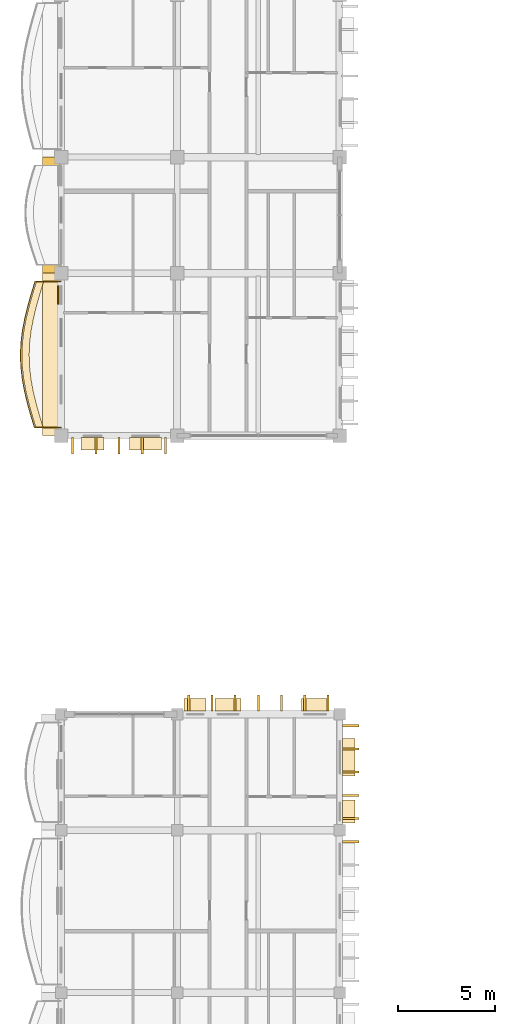
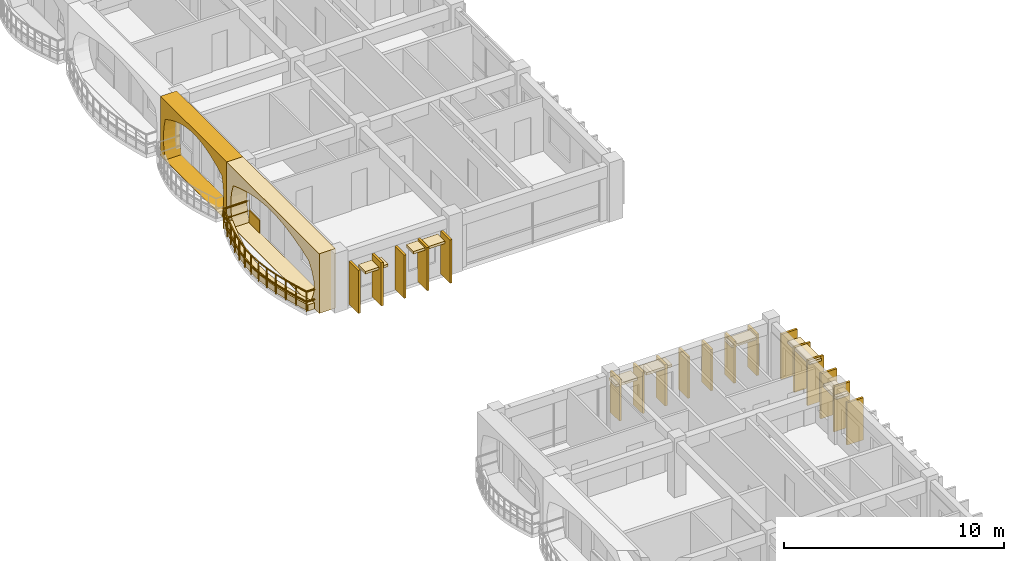
# One storey, part 57 of 79: 29 coverings, 1 railing.
"""IFC4 building model written with IfcOpenShell, lengths in metres."""

import ifcopenshell
import ifcopenshell.guid

model = None  # the IFC model being written
_history = None  # IfcOwnerHistory: only IFC2X3 demands one
_inside = {}  # id of a spatial element -> (the spatial element, [elements in it])
_under = {}  # id of a project, library or spatial element -> (it, [spatial elements below it])
_declared = {}  # id of a project -> (the project, [libraries it declares])
_typed = {}  # id of a type object -> (the type object, [elements of that type])
_made_of = {}  # id of a material, layer set ... -> (it, [elements and type objects made of it])


def new_model(schema):
    """Start an empty IFC model of exactly this schema.

    Asked for "IFC4X3", IfcOpenShell would pick the latest addendum, in which some entities
    have other attributes; the version numbers below select the first issue.
    IFC2X3 requires an IfcOwnerHistory on every rooted entity: one is made here for all.
    """
    global model, _history
    if schema == "IFC4X3":
        model = ifcopenshell.file(schema_version=(4, 3, 0, 0))
    else:
        model = ifcopenshell.file(schema=schema)
    _inside.clear()
    _under.clear()
    _declared.clear()
    _typed.clear()
    _made_of.clear()
    _history = None
    if model.schema == "IFC2X3":
        org = make("IfcOrganization", Name="unknown")
        user = make(
            "IfcPersonAndOrganization",
            ThePerson=make("IfcPerson", FamilyName="unknown"),
            TheOrganization=org,
        )
        app = make(
            "IfcApplication",
            ApplicationDeveloper=org,
            Version="unknown",
            ApplicationFullName="unknown",
            ApplicationIdentifier="unknown",
        )
        _history = make(
            "IfcOwnerHistory",
            OwningUser=user,
            OwningApplication=app,
            ChangeAction="ADDED",
            CreationDate=0,
        )
    return model


def make(cls, **values):
    """One entity of the class cls with the attributes given. An attribute that is None is left unset."""
    return model.create_entity(
        cls, **{name: value for name, value in values.items() if value is not None}
    )


def rooted(cls, **values):
    """An entity with a GlobalId (a new one), such as an element, a storey or a relation."""
    return make(cls, GlobalId=ifcopenshell.guid.new(), OwnerHistory=_history, **values)


def si_unit(unit_type, name, prefix=None):
    """IfcSIUnit, for example si_unit("LENGTHUNIT", "METRE", prefix="MILLI")."""
    return make("IfcSIUnit", UnitType=unit_type, Prefix=prefix, Name=name)


def assignment(units):
    """IfcUnitAssignment: the units of a project."""
    return None if units is None else make("IfcUnitAssignment", Units=units)


def point(xyz):
    """IfcCartesianPoint."""
    return None if xyz is None else make("IfcCartesianPoint", Coordinates=xyz)


def direction(xyz):
    """IfcDirection."""
    return None if xyz is None else make("IfcDirection", DirectionRatios=xyz)


def frame(location, z_axis=None, x_axis=None):
    """IfcAxis2Placement3D, a coordinate frame: its origin and axes. An axis left out is left unset."""
    return make(
        "IfcAxis2Placement3D",
        Location=point(location),
        Axis=direction(z_axis),
        RefDirection=direction(x_axis),
    )


def frame_2d(location, x_axis=None):
    """IfcAxis2Placement2D, a coordinate frame in the plane: its origin and x axis."""
    return make(
        "IfcAxis2Placement2D", Location=point(location), RefDirection=direction(x_axis)
    )


def origin():
    """The frame at (0, 0, 0) with its axes left unset."""
    return frame((0.0, 0.0, 0.0))


def origin_2d():
    """The frame at (0, 0) in the plane with its x axis left unset."""
    return frame_2d((0.0, 0.0))


def place(relative_to, where):
    """IfcLocalPlacement: puts the frame where relative to a parent placement (None: the world)."""
    return make(
        "IfcLocalPlacement", PlacementRelTo=relative_to, RelativePlacement=where
    )


def context(
    kind, dimensions, precision=None, world=None, true_north=None, identifier=None
):
    """IfcGeometricRepresentationContext, for example the 3D "Model" context."""
    return make(
        "IfcGeometricRepresentationContext",
        ContextIdentifier=identifier,
        ContextType=kind,
        CoordinateSpaceDimension=dimensions,
        Precision=precision,
        WorldCoordinateSystem=world,
        TrueNorth=true_north,
    )


def subcontext(parent, identifier, kind, view, scale=None):
    """IfcGeometricRepresentationSubContext, for example "Body" below "Model"."""
    return make(
        "IfcGeometricRepresentationSubContext",
        ContextIdentifier=identifier,
        ContextType=kind,
        ParentContext=parent,
        TargetScale=scale,
        TargetView=view,
    )


def project(units=None, contexts=None):
    """IfcProject with its units and contexts."""
    return rooted(
        "IfcProject",
        Name="project",
        RepresentationContexts=contexts,
        UnitsInContext=assignment(units),
    )


def spatial(cls, under=None, at=None, **own):
    """A site, building, storey or space (cls), placed at a placement, below another one or the project."""
    s = rooted(cls, ObjectPlacement=at, **own)
    if under is not None:
        _under.setdefault(under.id(), (under, []))[1].append(s)
    return s


def polyline(points):
    """IfcPolyline through the points."""
    return make("IfcPolyline", Points=[point(p) for p in points])


def profile(cls, at=None, kind="AREA", **sizes):
    """A parametric profile (cls). Its sizes go by their IFC names, for example OverallWidth=200.0."""
    return make(cls, ProfileType=kind, Position=at, **sizes)


def rectangle(**sizes):
    """IfcRectangleProfileDef."""
    return profile("IfcRectangleProfileDef", **sizes)


def outline(outer, holes=None, kind="AREA"):
    """IfcArbitraryClosedProfileDef: a profile drawn as a closed curve; with holes, ...WithVoids."""
    if holes is None:
        return make("IfcArbitraryClosedProfileDef", ProfileType=kind, OuterCurve=outer)
    return make(
        "IfcArbitraryProfileDefWithVoids",
        ProfileType=kind,
        OuterCurve=outer,
        InnerCurves=holes,
    )


def extrude(swept, where, along, depth):
    """IfcExtrudedAreaSolid: the profile swept, set in the frame where, extruded along a direction by depth."""
    return make(
        "IfcExtrudedAreaSolid",
        SweptArea=swept,
        Position=where,
        ExtrudedDirection=direction(along),
        Depth=depth,
    )


def shape(context_of_items, identifier, shape_type, items):
    """IfcShapeRepresentation: the items that make up one representation, for example the "Body"."""
    return make(
        "IfcShapeRepresentation",
        ContextOfItems=context_of_items,
        RepresentationIdentifier=identifier,
        RepresentationType=shape_type,
        Items=items,
    )


def material(Name=None, Category=None):
    """IfcMaterial."""
    return make("IfcMaterial", Name=Name, Category=Category)


def layer(
    of_material, thickness, ventilated=None, Name=None, Category=None, Priority=None
):
    """IfcMaterialLayer: one layer of a wall or slab, of a material (None: an air gap)."""
    return make(
        "IfcMaterialLayer",
        Material=of_material,
        LayerThickness=thickness,
        IsVentilated=ventilated,
        Name=Name,
        Category=Category,
        Priority=Priority,
    )


def layer_set(layers, Name=None):
    """IfcMaterialLayerSet."""
    return make("IfcMaterialLayerSet", MaterialLayers=layers, LayerSetName=Name)


def made_of(thing, what):
    """Note that an element or type object is made of a material, layer set ...; save() writes the relation."""
    if what is not None:
        _made_of.setdefault(what.id(), (what, []))[1].append(thing)
    return thing


def type_object(cls, material=None, **own):
    """A type object (cls), such as IfcWallType, which elements share."""
    return made_of(rooted(cls, **own), material)


def element(
    cls,
    number,
    at=None,
    inside=None,
    cuts=None,
    type_object=None,
    material=None,
    context=None,
    identifier="Body",
    shape_type=None,
    held_by="IfcProductDefinitionShape",
    body=None,
    shapes=None,
    **own,
):
    """One element of the class cls, such as IfcWall. Its Tag is "e" and its number.

    at: its placement. inside: the storey or other place that contains it. cuts: it is an
    opening in that element (IfcRelVoidsElement). A single representation is given by context,
    identifier, shape_type and body (its items); several are given by shapes. held_by: the class
    of the entity that holds the representations. save() writes the other relations.
    """
    e = rooted(cls, Tag="e%d" % number, ObjectPlacement=at, **own)
    if body is not None:
        shapes = [shape(context, identifier, shape_type, body)]
    if shapes is not None:
        e.Representation = make(held_by, Representations=shapes)
    if inside is not None:
        _inside.setdefault(inside.id(), (inside, []))[1].append(e)
    if cuts is not None:
        rooted(
            "IfcRelVoidsElement", RelatingBuildingElement=cuts, RelatedOpeningElement=e
        )
    if type_object is not None:
        _typed.setdefault(type_object.id(), (type_object, []))[1].append(e)
    return made_of(e, material)


def aggregate(whole, parts):
    """IfcRelAggregates: a whole, such as a stair, and the parts it consists of."""
    return rooted("IfcRelAggregates", RelatingObject=whole, RelatedObjects=parts)


def save(model, path):
    """Write the relations noted so far, then the file.

    IfcRelAggregates (storeys below a building ...), IfcRelContainedInSpatialStructure (elements
    in a storey), IfcRelDefinesByType, IfcRelAssociatesMaterial and IfcRelDeclares: one each for
    every whole, place, type object, material and project.
    """
    for whole, parts in _under.values():
        aggregate(whole, parts)
    for where, things in _inside.values():
        rooted(
            "IfcRelContainedInSpatialStructure",
            RelatedElements=things,
            RelatingStructure=where,
        )
    for kind, things in _typed.values():
        rooted("IfcRelDefinesByType", RelatedObjects=things, RelatingType=kind)
    for what, things in _made_of.values():
        rooted("IfcRelAssociatesMaterial", RelatedObjects=things, RelatingMaterial=what)
    for by, libraries in _declared.values():
        rooted("IfcRelDeclares", RelatingContext=by, RelatedDefinitions=libraries)
    model.write(path)


model = new_model("IFC4")

# Units and contexts
model_context = context("Model", 3, precision=1e-05, world=origin(), true_north=direction((0.0, 1.0)))
body_context = subcontext(model_context, "Body", "Model", "MODEL_VIEW")
ifc_project = project(units=[si_unit("LENGTHUNIT", "METRE"), si_unit("AREAUNIT", "SQUARE_METRE"), si_unit("VOLUMEUNIT", "CUBIC_METRE"), si_unit("PLANEANGLEUNIT", "RADIAN"), si_unit("MASSUNIT", "GRAM", prefix="KILO"), si_unit("THERMODYNAMICTEMPERATUREUNIT", "KELVIN")], contexts=[model_context])

# Site, building, storey
site_placement = place(None, origin())
site = spatial("IfcSite", under=ifc_project, at=site_placement, CompositionType="ELEMENT")
building_placement = place(site_placement, origin())
building = spatial("IfcBuilding", under=site, at=building_placement, Name="Thalorik Housing Commons", CompositionType="ELEMENT")
storey_placement = place(building_placement, frame((0.0, 0.0, 11.39990234375)))
storey = spatial("IfcBuildingStorey", under=building, at=storey_placement, Name="L03", CompositionType="ELEMENT", Elevation=11.39990234375)

# Coverings
ifc_material_1 = material(Name="Precast concrete C40/50", Category="concrete")
ifc_layer_1 = layer(ifc_material_1, 0.85009765625, Name="Precast concrete C40/50", Category="concrete")
ifc_layer_set_1 = layer_set([ifc_layer_1], Name="Precast concrete C40/50")
covering_type_1 = type_object("IfcCoveringType", Name="ARC-CLD-CUSH-850", PredefinedType="CLADDING", material=ifc_layer_set_1)
covering_1_placement = place(storey_placement, frame((7.87255859375, 83.39990234375, 0.0), z_axis=(0.0, 0.0, 1.0), x_axis=(0.0, -1.0, 0.0)))
element("IfcCovering", 1, at=covering_1_placement, inside=storey, type_object=covering_type_1, Name="L03 White Precast Curved Cushion Bay Frame 323", PredefinedType="CLADDING", context=body_context, shape_type="SweptSolid", body=[
    extrude(outline(polyline([(-3.0, 0.0), (3.0, 0.0), (3.0, 3.300048828125), (-3.0, 3.300048828125), (-3.0, 0.0)]), holes=[polyline([(2.550048828125, 0.02490234375), (2.64501953125, 0.399169921875), (2.701904296875, 0.773193359375), (2.720947265625, 1.1474609375), (2.701904296875, 1.521728515625), (2.64501953125, 1.895751953125), (2.550048828125, 2.27001953125), (2.122802734375, 2.50439453125), (1.69580078125, 2.6884765625), (1.268798828125, 2.837646484375), (0.841796875, 2.948486328125), (0.41455078125, 3.016845703125), (-0.012451171875, 3.0400390625), (-0.439697265625, 3.016845703125), (-0.86669921875, 2.948486328125), (-1.293701171875, 2.837646484375), (-1.720703125, 2.6884765625), (-2.14794921875, 2.50439453125), (-2.574951171875, 2.27001953125), (-2.664794921875, 1.895751953125), (-2.718505859375, 1.521728515625), (-2.736572265625, 1.1474609375), (-2.718505859375, 0.773193359375), (-2.664794921875, 0.399169921875), (-2.574951171875, 0.02490234375), (2.550048828125, 0.02490234375)])]), frame((0.0, 0.425048828125, 0.0), z_axis=(0.0, -1.0, 0.0), x_axis=(1.0, 0.0, 0.0)), (0.0, 0.0, 1.0), 0.85009765625),
])
covering_2_placement = place(storey_placement, frame((7.87255859375, 76.199951171875, 0.0), z_axis=(0.0, 0.0, 1.0), x_axis=(0.0, -1.0, 0.0)))
element("IfcCovering", 2, at=covering_2_placement, inside=storey, type_object=covering_type_1, Name="L03 White Precast Curved Cushion Bay Frame 325", PredefinedType="CLADDING", context=body_context, shape_type="SweptSolid", body=[
    extrude(outline(polyline([(-4.199951171875, 0.0), (4.199951171875, 0.0), (4.199951171875, 3.300048828125), (-4.199951171875, 3.300048828125), (-4.199951171875, 0.0)]), holes=[polyline([(3.239990234375, 0.02490234375), (3.523193359375, 0.410888671875), (3.693359375, 0.796630859375), (3.75, 1.1826171875), (3.693359375, 1.568359375), (3.523193359375, 1.9541015625), (3.239990234375, 2.340087890625), (2.669677734375, 2.552978515625), (2.09912109375, 2.720458984375), (1.52880859375, 2.85595703125), (0.958251953125, 2.956787109375), (0.387939453125, 3.01904296875), (-0.1826171875, 3.0400390625), (-0.7529296875, 3.01904296875), (-1.3232421875, 2.956787109375), (-1.893798828125, 2.85595703125), (-2.464111328125, 2.720458984375), (-3.03466796875, 2.552978515625), (-3.60498046875, 2.340087890625), (-3.730712890625, 1.9541015625), (-3.805908203125, 1.568359375), (-3.8310546875, 1.1826171875), (-3.805908203125, 0.796630859375), (-3.730712890625, 0.410888671875), (-3.60498046875, 0.02490234375), (3.239990234375, 0.02490234375)])]), frame((0.0, 0.425048828125, 0.0), z_axis=(0.0, -1.0, 0.0), x_axis=(1.0, 0.0, 0.0)), (0.0, 0.0, 1.0), 0.85009765625),
])
ifc_layer_2 = layer(ifc_material_1, 0.85009765625, Name="Precast concrete C40/50", Category="concrete")
ifc_layer_set_2 = layer_set([ifc_layer_2], Name="Precast concrete C40/50")
covering_type_2 = type_object("IfcCoveringType", Name="ARC-CLD-FIN-850", PredefinedType="CLADDING", material=ifc_layer_set_2)
for number, where, z_axis, x_axis, name in (
    (3, (9.0, 71.472412109375, 0.0400390625), (0.0, 0.0, 1.0), (1.0, 0.0, 0.0), "L03 Courtyard Precast Vertical Brise-Soleil Fin 327"),
    (4, (10.199951171875, 71.472412109375, 0.0400390625), (0.0, 0.0, 1.0), (1.0, 0.0, 0.0), "L03 Courtyard Precast Vertical Brise-Soleil Fin 328"),
    (5, (11.39990234375, 71.472412109375, 0.0400390625), (0.0, 0.0, 1.0), (1.0, 0.0, 0.0), "L03 Courtyard Precast Vertical Brise-Soleil Fin 329"),
    (6, (12.60009765625, 71.472412109375, 0.0400390625), (0.0, 0.0, 1.0), (1.0, 0.0, 0.0), "L03 Courtyard Precast Vertical Brise-Soleil Fin 330"),
    (7, (13.800048828125, 71.472412109375, 0.0400390625), (0.0, 0.0, 1.0), (1.0, 0.0, 0.0), "L03 Courtyard Precast Vertical Brise-Soleil Fin 331"),
):
    element("IfcCovering", number, at=place(storey_placement, frame(where, z_axis=z_axis, x_axis=x_axis)), inside=storey, type_object=covering_type_2, Name=name, PredefinedType="CLADDING", context=body_context, shape_type="SweptSolid", body=[
        extrude(rectangle(XDim=0.110107421875, YDim=0.85009765625, at=origin_2d()), origin(), (0.0, 0.0, 1.0), 2.39501953125),
    ])
covering_3_placement = place(storey_placement, frame((23.37744140625, 51.0, 0.0400390625), z_axis=(0.0, 0.0, 1.0), x_axis=(0.0, 1.0, 0.0)))
element("IfcCovering", 8, at=covering_3_placement, inside=storey, type_object=covering_type_2, Name="L03 Courtyard Precast Vertical Brise-Soleil Fin 3691", PredefinedType="CLADDING", context=body_context, shape_type="SweptSolid", body=[
    extrude(rectangle(XDim=0.110107421875, YDim=0.85009765625, at=origin_2d()), origin(), (0.0, 0.0, 1.0), 2.344970703125),
])
for number, where, z_axis, x_axis, name in (
    (9, (23.37744140625, 52.199951171875, 0.0400390625), (0.0, 0.0, 1.0), (0.0, 1.0, 0.0), "L03 Courtyard Precast Vertical Brise-Soleil Fin 3695"),
    (10, (23.37744140625, 53.39990234375, 0.0400390625), (0.0, 0.0, 1.0), (0.0, 1.0, 0.0), "L03 Courtyard Precast Vertical Brise-Soleil Fin 3696"),
    (11, (23.37744140625, 54.60009765625, 0.0400390625), (0.0, 0.0, 1.0), (0.0, 1.0, 0.0), "L03 Courtyard Precast Vertical Brise-Soleil Fin 3697"),
    (12, (23.37744140625, 55.800048828125, 0.0400390625), (0.0, 0.0, 1.0), (0.0, 1.0, 0.0), "L03 Courtyard Precast Vertical Brise-Soleil Fin 3698"),
    (13, (23.37744140625, 57.0, 0.0400390625), (0.0, 0.0, 1.0), (0.0, 1.0, 0.0), "L03 Courtyard Precast Vertical Brise-Soleil Fin 3699"),
):
    element("IfcCovering", number, at=place(storey_placement, frame(where, z_axis=z_axis, x_axis=x_axis)), inside=storey, type_object=covering_type_2, Name=name, PredefinedType="CLADDING", context=body_context, shape_type="SweptSolid", body=[
        extrude(rectangle(XDim=0.110107421875, YDim=0.85009765625, at=origin_2d()), origin(), (0.0, 0.0, 1.0), 2.4951171875),
    ])
for number, where, z_axis, x_axis, name in (
    (14, (22.199951171875, 58.177490234375, 0.0400390625), (0.0, 0.0, 1.0), (-1.0, 0.0, 0.0), "L03 Courtyard Precast Vertical Brise-Soleil Fin 3702"),
    (15, (21.0, 58.177490234375, 0.0400390625), (0.0, 0.0, 1.0), (-1.0, 0.0, 0.0), "L03 Courtyard Precast Vertical Brise-Soleil Fin 3703"),
    (16, (19.800048828125, 58.177490234375, 0.0400390625), (0.0, 0.0, 1.0), (-1.0, 0.0, 0.0), "L03 Courtyard Precast Vertical Brise-Soleil Fin 3704"),
    (17, (18.60009765625, 58.177490234375, 0.0400390625), (0.0, 0.0, 1.0), (-1.0, 0.0, 0.0), "L03 Courtyard Precast Vertical Brise-Soleil Fin 3705"),
    (18, (17.39990234375, 58.177490234375, 0.0400390625), (0.0, 0.0, 1.0), (-1.0, 0.0, 0.0), "L03 Courtyard Precast Vertical Brise-Soleil Fin 3706"),
    (19, (16.199951171875, 58.177490234375, 0.0400390625), (0.0, 0.0, 1.0), (-1.0, 0.0, 0.0), "L03 Courtyard Precast Vertical Brise-Soleil Fin 3707"),
    (20, (15.0, 58.177490234375, 0.0400390625), (0.0, 0.0, 1.0), (-1.0, 0.0, 0.0), "L03 Courtyard Precast Vertical Brise-Soleil Fin 3708"),
):
    element("IfcCovering", number, at=place(storey_placement, frame(where, z_axis=z_axis, x_axis=x_axis)), inside=storey, type_object=covering_type_2, Name=name, PredefinedType="CLADDING", context=body_context, shape_type="SweptSolid", body=[
        extrude(rectangle(XDim=0.110107421875, YDim=0.85009765625, at=origin_2d()), origin(), (0.0, 0.0, 1.0), 2.294921875),
    ])
ifc_layer_3 = layer(ifc_material_1, 0.64990234375, Name="Precast concrete C40/50", Category="concrete")
ifc_layer_set_3 = layer_set([ifc_layer_3], Name="Precast concrete C40/50")
covering_type_3 = type_object("IfcCoveringType", Name="ARC-CLD-HOOD-650", PredefinedType="CLADDING", material=ifc_layer_set_3)
covering_4_placement = place(storey_placement, frame((10.030029296875, 71.572509765625, 1.93994140625), z_axis=(0.0, 0.0, 1.0), x_axis=(1.0, 0.0, 0.0)))
element("IfcCovering", 21, at=covering_4_placement, inside=storey, type_object=covering_type_3, Name="L03 Courtyard Precast Window Sun-Hood 332", PredefinedType="CLADDING", context=body_context, shape_type="SweptSolid", body=[
    extrude(rectangle(XDim=1.18994140625, YDim=0.64990234375, at=origin_2d()), origin(), (0.0, 0.0, 1.0), 0.139892578125),
])
covering_5_placement = place(storey_placement, frame((12.77001953125, 71.572509765625, 2.169921875), z_axis=(0.0, 0.0, 1.0), x_axis=(1.0, 0.0, 0.0)))
element("IfcCovering", 22, at=covering_5_placement, inside=storey, type_object=covering_type_3, Name="L03 Courtyard Precast Window Sun-Hood 333", PredefinedType="CLADDING", context=body_context, shape_type="SweptSolid", body=[
    extrude(rectangle(XDim=1.659912109375, YDim=0.64990234375, at=origin_2d()), origin(), (0.0, 0.0, 1.0), 0.139892578125),
])
covering_6_placement = place(storey_placement, frame((23.277587890625, 52.5634765625, 1.93994140625), z_axis=(0.0, 0.0, 1.0), x_axis=(0.0, 1.0, 0.0)))
element("IfcCovering", 23, at=covering_6_placement, inside=storey, type_object=covering_type_3, Name="L03 Courtyard Precast Window Sun-Hood 3700", PredefinedType="CLADDING", context=body_context, shape_type="SweptSolid", body=[
    extrude(rectangle(XDim=1.18994140625, YDim=0.64990234375, at=origin_2d()), origin(), (0.0, 0.0, 1.0), 0.139892578125),
])
covering_7_placement = place(storey_placement, frame((23.277587890625, 55.373291015625, 2.39013671875), z_axis=(0.0, 0.0, 1.0), x_axis=(0.0, 1.0, 0.0)))
element("IfcCovering", 24, at=covering_7_placement, inside=storey, type_object=covering_type_3, Name="L03 Courtyard Precast Window Sun-Hood 3701", PredefinedType="CLADDING", context=body_context, shape_type="SweptSolid", body=[
    extrude(rectangle(XDim=1.93994140625, YDim=0.64990234375, at=origin_2d()), origin(), (0.0, 0.0, 1.0), 0.139892578125),
])
covering_8_placement = place(storey_placement, frame((21.53271484375, 58.077392578125, 2.0400390625), z_axis=(0.0, 0.0, 1.0), x_axis=(-1.0, 0.0, 0.0)))
element("IfcCovering", 25, at=covering_8_placement, inside=storey, type_object=covering_type_3, Name="L03 Courtyard Precast Window Sun-Hood 3709", PredefinedType="CLADDING", context=body_context, shape_type="SweptSolid", body=[
    extrude(rectangle(XDim=1.389892578125, YDim=0.64990234375, at=origin_2d()), origin(), (0.0, 0.0, 1.0), 0.139892578125),
])
covering_9_placement = place(storey_placement, frame((17.030029296875, 58.077392578125, 2.09033203125), z_axis=(0.0, 0.0, 1.0), x_axis=(-1.0, 0.0, 0.0)))
element("IfcCovering", 26, at=covering_9_placement, inside=storey, type_object=covering_type_3, Name="L03 Courtyard Precast Window Sun-Hood 3710", PredefinedType="CLADDING", context=body_context, shape_type="SweptSolid", body=[
    extrude(rectangle(XDim=1.340087890625, YDim=0.64990234375, at=origin_2d()), origin(), (0.0, 0.0, 1.0), 0.139892578125),
])
covering_10_placement = place(storey_placement, frame((15.3349609375, 58.077392578125, 1.990234375), z_axis=(0.0, 0.0, 1.0), x_axis=(-1.0, 0.0, 0.0)))
element("IfcCovering", 27, at=covering_10_placement, inside=storey, type_object=covering_type_3, Name="L03 Courtyard Precast Window Sun-Hood 3711", PredefinedType="CLADDING", context=body_context, shape_type="SweptSolid", body=[
    extrude(rectangle(XDim=1.139892578125, YDim=0.64990234375, at=origin_2d()), origin(), (0.0, 0.0, 1.0), 0.139892578125),
])
ifc_material_2 = material(Name="Terracotta red mineral fibre-cement panel", Category="masonry")
ifc_layer_4 = layer(ifc_material_2, 0.054931640625, Name="Terracotta red mineral fibre-cement panel", Category="masonry")
ifc_layer_set_4 = layer_set([ifc_layer_4], Name="Terracotta red mineral fibre-cement panel")
covering_type_4 = type_object("IfcCoveringType", Name="ARC-CLD-RED-55", PredefinedType="CLADDING", material=ifc_layer_set_4)
covering_11_placement = place(storey_placement, frame((8.264892578125, 79.280029296875, 0.05029296875), z_axis=(0.0, 0.0, 1.0), x_axis=(0.0, -1.0, 0.0)))
element("IfcCovering", 28, at=covering_11_placement, inside=storey, type_object=covering_type_4, Name="L03 De Stijl Recessed Window Spandrel 326", PredefinedType="CLADDING", context=body_context, shape_type="SweptSolid", body=[
    extrude(rectangle(XDim=0.949951171875, YDim=0.054931640625, at=origin_2d()), origin(), (0.0, 0.0, 1.0), 0.699951171875),
])
ifc_material_3 = material(Name="Planted vegetated substrate and terracotta trough", Category="masonry")
ifc_layer_5 = layer(ifc_material_3, 0.340087890625, Name="Planted vegetated substrate and terracotta trough", Category="masonry")
ifc_layer_set_5 = layer_set([ifc_layer_5], Name="Planted vegetated substrate and terracotta trough")
covering_type_5 = type_object("IfcCoveringType", Name="ARC-COV-PLANTER", PredefinedType="USERDEFINED", material=ifc_layer_set_5)
covering_12_placement = place(storey_placement, origin())
element("IfcCovering", 29, at=covering_12_placement, inside=storey, type_object=covering_type_5, Name="L03 Balcony Slab-Edge Planted Trough 5332", ObjectType="PLANTER", PredefinedType="USERDEFINED", context=body_context, shape_type="SweptSolid", body=[
    extrude(outline(polyline([(7.125732421875, 79.97998046875), (6.934814453125, 79.35009765625), (6.75537109375, 78.719970703125), (6.599609375, 78.090087890625), (6.478515625, 77.4599609375), (6.400390625, 76.830078125), (6.37109375, 76.199951171875), (6.39208984375, 75.570068359375), (6.46240234375, 74.93994140625), (6.576904296875, 74.31005859375), (6.7275390625, 73.679931640625), (6.904296875, 73.050048828125), (7.0947265625, 72.419921875), (7.474853515625, 72.419921875), (7.284423828125, 73.050048828125), (7.107666015625, 73.679931640625), (6.956787109375, 74.31005859375), (6.84228515625, 74.93994140625), (6.772216796875, 75.570068359375), (6.7509765625, 76.199951171875), (6.780517578125, 76.830078125), (6.8583984375, 77.4599609375), (6.9794921875, 78.090087890625), (7.13525390625, 78.719970703125), (7.314697265625, 79.35009765625), (7.505615234375, 79.97998046875), (7.125732421875, 79.97998046875)])), origin(), (0.0, 0.0, 1.0), 0.340087890625),
])

# Railing
ifc_material_4 = material(Name="Steel S355", Category="steel")
railing_type = type_object("IfcRailingType", Name="ARC-RL-BAL-112", PredefinedType="BALUSTRADE", material=ifc_material_4)
railing_placement = place(storey_placement, frame((8.39990234375, 79.97998046875, 0.0)))
element("IfcRailing", 30, at=railing_placement, inside=storey, type_object=railing_type, Name="L03 Cushion Balcony Guardrail 16", PredefinedType="BALUSTRADE", context=body_context, shape_type="SweptSolid", body=[
    extrude(rectangle(XDim=0.050048828125, YDim=0.050048828125, at=origin_2d()), frame((0.0, 0.0, 1.09521484375), z_axis=(-1.0, 0.0, 0.0), x_axis=(0.0, -1.0, 0.0)), (0.0, 0.0, 1.0), 1.34423828125),
    extrude(rectangle(XDim=0.050048828125, YDim=0.050048828125, at=origin_2d()), frame((0.0, 0.0, 0.53515625), z_axis=(-1.0, 0.0, 0.0), x_axis=(0.0, -1.0, 0.0)), (0.0, 0.0, 1.0), 1.34423828125),
    extrude(rectangle(XDim=0.050048828125, YDim=0.050048828125, at=origin_2d()), frame((-1.34423828125, 0.0, 1.09521484375), z_axis=(-0.290069164756, -0.957005684235, 0.0), x_axis=(0.957005684235, -0.290069164756, 0.0)), (0.0, 0.0, 1.0), 0.658203125),
    extrude(rectangle(XDim=0.050048828125, YDim=0.050048828125, at=origin_2d()), frame((-1.34423828125, 0.0, 0.53515625), z_axis=(-0.290069164756, -0.957005684235, 0.0), x_axis=(0.957005684235, -0.290069164756, 0.0)), (0.0, 0.0, 1.0), 0.658203125),
    extrude(rectangle(XDim=0.050048828125, YDim=0.050048828125, at=origin_2d()), frame((-1.53515625, -0.6298828125, 1.09521484375), z_axis=(-0.273884360081, -0.961762630436, 0.0), x_axis=(0.961762630436, -0.273884360081, 0.0)), (0.0, 0.0, 1.0), 0.6552734375),
    extrude(rectangle(XDim=0.050048828125, YDim=0.050048828125, at=origin_2d()), frame((-1.53515625, -0.6298828125, 0.53515625), z_axis=(-0.273884360081, -0.961762630436, 0.0), x_axis=(0.961762630436, -0.273884360081, 0.0)), (0.0, 0.0, 1.0), 0.6552734375),
    extrude(rectangle(XDim=0.050048828125, YDim=0.050048828125, at=origin_2d()), frame((-1.714599609375, -1.260009765625, 1.09521484375), z_axis=(-0.240055922764, -0.970759060708, 0.0), x_axis=(0.970759060708, -0.240055922764, 0.0)), (0.0, 0.0, 1.0), 0.64892578125),
    extrude(rectangle(XDim=0.050048828125, YDim=0.050048828125, at=origin_2d()), frame((-1.714599609375, -1.260009765625, 0.53515625), z_axis=(-0.240055922764, -0.970759060708, 0.0), x_axis=(0.970759060708, -0.240055922764, 0.0)), (0.0, 0.0, 1.0), 0.64892578125),
    extrude(rectangle(XDim=0.050048828125, YDim=0.050048828125, at=origin_2d()), frame((-1.870361328125, -1.889892578125, 1.09521484375), z_axis=(-0.188720382932, -0.982030863602, 0.0), x_axis=(0.982030863602, -0.188720382932, 0.0)), (0.0, 0.0, 1.0), 0.6416015625),
    extrude(rectangle(XDim=0.050048828125, YDim=0.050048828125, at=origin_2d()), frame((-1.870361328125, -1.889892578125, 0.53515625), z_axis=(-0.188720382932, -0.982030863602, 0.0), x_axis=(0.982030863602, -0.188720382932, 0.0)), (0.0, 0.0, 1.0), 0.6416015625),
    extrude(rectangle(XDim=0.050048828125, YDim=0.050048828125, at=origin_2d()), frame((-1.991455078125, -2.52001953125, 1.09521484375), z_axis=(-0.122708999793, -0.99244269425, 0.0), x_axis=(0.99244269425, -0.122708999793, 0.0)), (0.0, 0.0, 1.0), 0.634765625),
    extrude(rectangle(XDim=0.050048828125, YDim=0.050048828125, at=origin_2d()), frame((-1.991455078125, -2.52001953125, 0.53515625), z_axis=(-0.122708999793, -0.99244269425, 0.0), x_axis=(0.99244269425, -0.122708999793, 0.0)), (0.0, 0.0, 1.0), 0.634765625),
    extrude(rectangle(XDim=0.050048828125, YDim=0.050048828125, at=origin_2d()), frame((-2.0693359375, -3.14990234375, 1.09521484375), z_axis=(-0.046829620253, -0.99890289151, 0.0), x_axis=(0.99890289151, -0.046829620253, 0.0)), (0.0, 0.0, 1.0), 0.630859375),
    extrude(rectangle(XDim=0.050048828125, YDim=0.050048828125, at=origin_2d()), frame((-2.0693359375, -3.14990234375, 0.53515625), z_axis=(-0.046829620253, -0.99890289151, 0.0), x_axis=(0.99890289151, -0.046829620253, 0.0)), (0.0, 0.0, 1.0), 0.630859375),
    extrude(rectangle(XDim=0.050048828125, YDim=0.050048828125, at=origin_2d()), frame((-2.098876953125, -3.780029296875, 1.09521484375), z_axis=(0.033314830233, -0.999444906979, 0.0), x_axis=(0.999444906979, 0.033314830233, 0.0)), (0.0, 0.0, 1.0), 0.630126953125),
    extrude(rectangle(XDim=0.050048828125, YDim=0.050048828125, at=origin_2d()), frame((-2.098876953125, -3.780029296875, 0.53515625), z_axis=(0.033314830233, -0.999444906979, 0.0), x_axis=(0.999444906979, 0.033314830233, 0.0)), (0.0, 0.0, 1.0), 0.630126953125),
    extrude(rectangle(XDim=0.050048828125, YDim=0.050048828125, at=origin_2d()), frame((-2.077880859375, -4.409912109375, 1.09521484375), z_axis=(0.110896399817, -0.993831971969, 0.0), x_axis=(0.993831971969, 0.110896399817, 0.0)), (0.0, 0.0, 1.0), 0.634033203125),
    extrude(rectangle(XDim=0.050048828125, YDim=0.050048828125, at=origin_2d()), frame((-2.077880859375, -4.409912109375, 0.53515625), z_axis=(0.110896399817, -0.993831971969, 0.0), x_axis=(0.993831971969, 0.110896399817, 0.0)), (0.0, 0.0, 1.0), 0.634033203125),
    extrude(rectangle(XDim=0.050048828125, YDim=0.050048828125, at=origin_2d()), frame((-2.007568359375, -5.0400390625, 1.09521484375), z_axis=(0.178851879534, -0.983876011084, 0.0), x_axis=(0.983876011084, 0.178851879534, 0.0)), (0.0, 0.0, 1.0), 0.64013671875),
    extrude(rectangle(XDim=0.050048828125, YDim=0.050048828125, at=origin_2d()), frame((-2.007568359375, -5.0400390625, 0.53515625), z_axis=(0.178851879534, -0.983876011084, 0.0), x_axis=(0.983876011084, 0.178851879534, 0.0)), (0.0, 0.0, 1.0), 0.64013671875),
    extrude(rectangle(XDim=0.050048828125, YDim=0.050048828125, at=origin_2d()), frame((-1.89306640625, -5.669921875, 1.09521484375), z_axis=(0.232859884688, -0.972510295114, 0.0), x_axis=(0.972510295114, 0.232859884688, 0.0)), (0.0, 0.0, 1.0), 0.64794921875),
    extrude(rectangle(XDim=0.050048828125, YDim=0.050048828125, at=origin_2d()), frame((-1.89306640625, -5.669921875, 0.53515625), z_axis=(0.232859884688, -0.972510295114, 0.0), x_axis=(0.972510295114, 0.232859884688, 0.0)), (0.0, 0.0, 1.0), 0.64794921875),
    extrude(rectangle(XDim=0.050048828125, YDim=0.050048828125, at=origin_2d()), frame((-1.7421875, -6.300048828125, 1.09521484375), z_axis=(0.270183563023, -0.962808829557, 0.0), x_axis=(0.962808829557, 0.270183563023, 0.0)), (0.0, 0.0, 1.0), 0.654296875),
    extrude(rectangle(XDim=0.050048828125, YDim=0.050048828125, at=origin_2d()), frame((-1.7421875, -6.300048828125, 0.53515625), z_axis=(0.270183563023, -0.962808829557, 0.0), x_axis=(0.962808829557, 0.270183563023, 0.0)), (0.0, 0.0, 1.0), 0.654296875),
    extrude(rectangle(XDim=0.050048828125, YDim=0.050048828125, at=origin_2d()), frame((-1.5654296875, -6.929931640625, 1.09521484375), z_axis=(0.289286763148, -0.957242481646, 0.0), x_axis=(0.957242481646, 0.289286763148, 0.0)), (0.0, 0.0, 1.0), 0.658203125),
    extrude(rectangle(XDim=0.050048828125, YDim=0.050048828125, at=origin_2d()), frame((-1.5654296875, -6.929931640625, 0.53515625), z_axis=(0.289286763148, -0.957242481646, 0.0), x_axis=(0.957242481646, 0.289286763148, 0.0)), (0.0, 0.0, 1.0), 0.658203125),
    extrude(rectangle(XDim=0.050048828125, YDim=0.050048828125, at=origin_2d()), frame((-1.375, -7.56005859375, 1.09521484375), z_axis=(1.0, 0.0, 0.0), x_axis=(0.0, 1.0, 0.0)), (0.0, 0.0, 1.0), 1.375),
    extrude(rectangle(XDim=0.050048828125, YDim=0.050048828125, at=origin_2d()), frame((-1.375, -7.56005859375, 0.53515625), z_axis=(1.0, 0.0, 0.0), x_axis=(0.0, 1.0, 0.0)), (0.0, 0.0, 1.0), 1.375),
    extrude(rectangle(XDim=0.0419921875, YDim=0.0419921875, at=origin_2d()), origin(), (0.0, 0.0, 1.0), 1.070068359375),
    extrude(rectangle(XDim=0.0419921875, YDim=0.0419921875, at=origin_2d()), frame((-1.34423828125, 0.0, 0.0)), (0.0, 0.0, 1.0), 1.070068359375),
    extrude(rectangle(XDim=0.0419921875, YDim=0.0419921875, at=origin_2d()), frame((-1.53515625, -0.6298828125, 0.0)), (0.0, 0.0, 1.0), 1.070068359375),
    extrude(rectangle(XDim=0.0419921875, YDim=0.0419921875, at=origin_2d()), frame((-1.714599609375, -1.260009765625, 0.0)), (0.0, 0.0, 1.0), 1.070068359375),
    extrude(rectangle(XDim=0.0419921875, YDim=0.0419921875, at=origin_2d()), frame((-1.870361328125, -1.889892578125, 0.0)), (0.0, 0.0, 1.0), 1.070068359375),
    extrude(rectangle(XDim=0.0419921875, YDim=0.0419921875, at=origin_2d()), frame((-1.991455078125, -2.52001953125, 0.0)), (0.0, 0.0, 1.0), 1.070068359375),
    extrude(rectangle(XDim=0.0419921875, YDim=0.0419921875, at=origin_2d()), frame((-2.0693359375, -3.14990234375, 0.0)), (0.0, 0.0, 1.0), 1.070068359375),
    extrude(rectangle(XDim=0.0419921875, YDim=0.0419921875, at=origin_2d()), frame((-2.098876953125, -3.780029296875, 0.0)), (0.0, 0.0, 1.0), 1.070068359375),
    extrude(rectangle(XDim=0.0419921875, YDim=0.0419921875, at=origin_2d()), frame((-2.077880859375, -4.409912109375, 0.0)), (0.0, 0.0, 1.0), 1.070068359375),
    extrude(rectangle(XDim=0.0419921875, YDim=0.0419921875, at=origin_2d()), frame((-2.007568359375, -5.0400390625, 0.0)), (0.0, 0.0, 1.0), 1.070068359375),
    extrude(rectangle(XDim=0.0419921875, YDim=0.0419921875, at=origin_2d()), frame((-1.89306640625, -5.669921875, 0.0)), (0.0, 0.0, 1.0), 1.070068359375),
    extrude(rectangle(XDim=0.0419921875, YDim=0.0419921875, at=origin_2d()), frame((-1.7421875, -6.300048828125, 0.0)), (0.0, 0.0, 1.0), 1.070068359375),
    extrude(rectangle(XDim=0.0419921875, YDim=0.0419921875, at=origin_2d()), frame((-1.5654296875, -6.929931640625, 0.0)), (0.0, 0.0, 1.0), 1.070068359375),
    extrude(rectangle(XDim=0.0419921875, YDim=0.0419921875, at=origin_2d()), frame((-1.375, -7.56005859375, 0.0)), (0.0, 0.0, 1.0), 1.070068359375),
    extrude(rectangle(XDim=0.0419921875, YDim=0.0419921875, at=origin_2d()), frame((0.0, -7.56005859375, 0.0)), (0.0, 0.0, 1.0), 1.070068359375),
])

save(model, "model.ifc")
